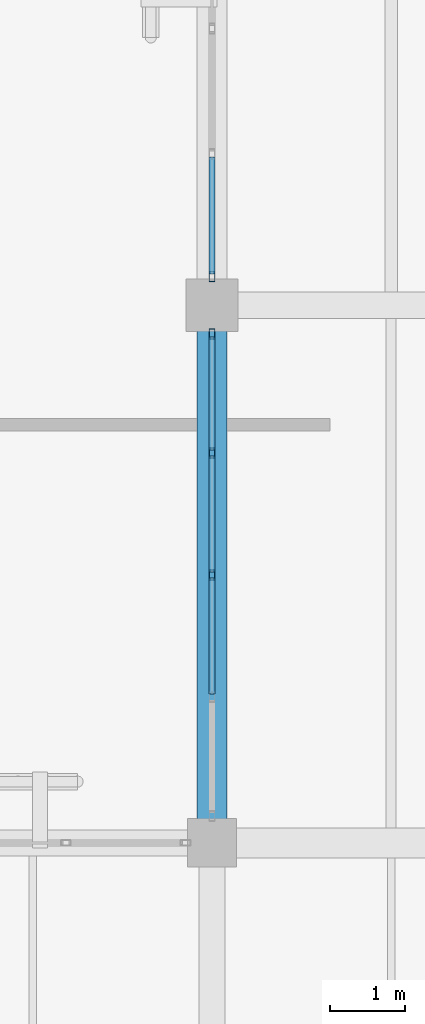
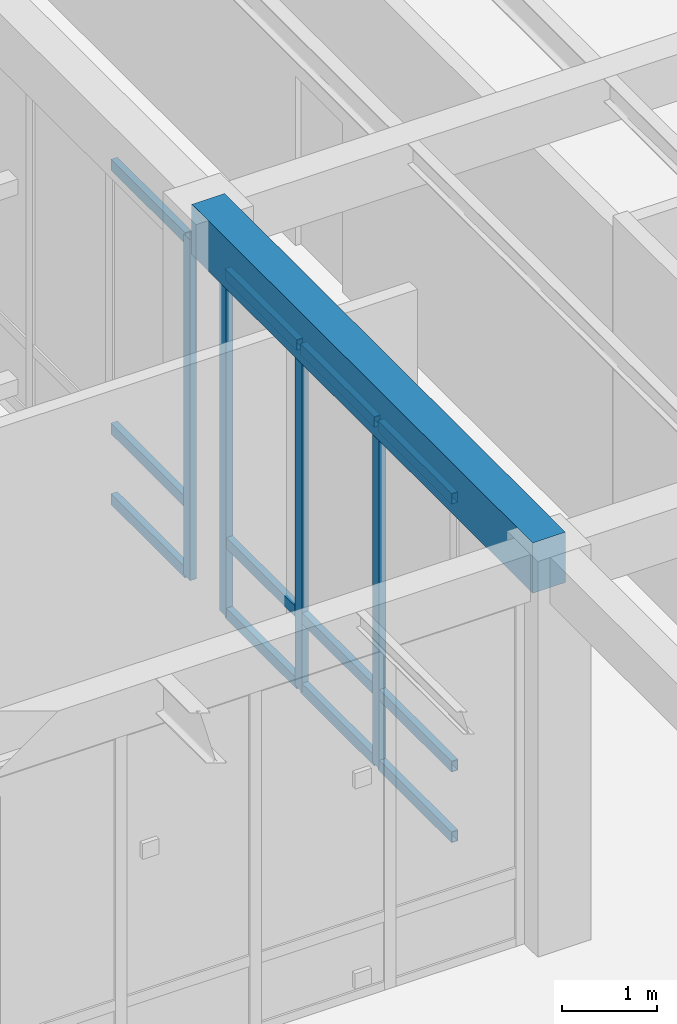
# One storey, part 28 of 169: 16 members, 1 beam, 2 elements without a shape of their own.
"""IFC4 building model written with IfcOpenShell, lengths in metres."""

from ifc_helpers import new_model, si_unit, direction, frame, origin, origin_2d, place, context, subcontext, project, spatial, rectangle, hollow_rectangle, extrude, material, layer, layer_set, material_profile, profile_set, type_object, element, aggregate, save


model = new_model("IFC4")

# Units and contexts
model_context = context("Model", 3, precision=1e-05, world=origin(), true_north=direction((0.0, 1.0)))
body_context = subcontext(model_context, "Body", "Model", "MODEL_VIEW")
ifc_project = project(units=[si_unit("LENGTHUNIT", "METRE"), si_unit("AREAUNIT", "SQUARE_METRE"), si_unit("VOLUMEUNIT", "CUBIC_METRE"), si_unit("PLANEANGLEUNIT", "RADIAN"), si_unit("MASSUNIT", "GRAM", prefix="KILO")], contexts=[model_context])

# Site, building, storey
site_placement = place(None, origin())
site = spatial("IfcSite", under=ifc_project, at=site_placement, CompositionType="ELEMENT")
building_placement = place(site_placement, origin())
building = spatial("IfcBuilding", under=site, at=building_placement, Name="Mazaris Harbour Polytechnic", CompositionType="ELEMENT")
storey_placement = place(building_placement, origin())
storey = spatial("IfcBuildingStorey", under=building, at=storey_placement, Name="L00", CompositionType="ELEMENT", Elevation=0.0)

# Curtain wall, members
ifc_material_1 = material(Name="Anodised Bronze Aluminium and Low-E Glass", Category="aluminium")
ifc_layer = layer(ifc_material_1, 0.159912109375, Name="Anodised Bronze Aluminium and Low-E Glass")
ifc_layer_set = layer_set([ifc_layer], Name="Anodised Bronze Aluminium and Low-E Glass")
curtain_wall_type = type_object("IfcCurtainWallType", Name="Cloister Court Curtain Wall", PredefinedType="NOTDEFINED", material=ifc_layer_set)
curtain_wall_1_placement = place(storey_placement, origin())
curtain_wall_1 = element("IfcCurtainWall", 1, at=curtain_wall_1_placement, inside=storey, type_object=curtain_wall_type, Name="V4 L00 Curtain Wall 107", PredefinedType="NOTDEFINED")
ifc_material_2 = material(Name="Anodised Bronze Steel S355", Category="steel")
ifc_material_profile_1 = material_profile(ifc_material_2, hollow_rectangle(XDim=0.080078125, YDim=0.139892578125, WallThickness=0.00634765625, at=origin_2d()), Name="RHS 80x140x6.3")
ifc_profile_set_1 = profile_set([ifc_material_profile_1], Name="Anodised Bronze Steel S355")
member_type_1 = type_object("IfcMemberType", Name="Curtain Mullion RHS80x140", PredefinedType="MULLION", material=ifc_profile_set_1)
member_1_placement = place(storey_placement, frame((28.800048828125, 42.818115234375, 0.0), z_axis=(0.0, 0.0, 1.0), x_axis=(1.0, 0.0, 0.0)))
member_1 = element("IfcMember", 2, at=member_1_placement, type_object=member_type_1, Name="CW-02 mullion 1", PredefinedType="MULLION", context=body_context, shape_type="SweptSolid", body=[
    extrude(hollow_rectangle(XDim=0.080078125, YDim=0.139892578125, WallThickness=0.00634765625, at=origin_2d()), origin(), (0.0, 0.0, 1.0), 4.43994140625),
])
member_2_placement = place(storey_placement, frame((28.800048828125, 41.22265625, 0.0), z_axis=(0.0, 0.0, 1.0), x_axis=(1.0, 0.0, 0.0)))
member_2 = element("IfcMember", 3, at=member_2_placement, type_object=member_type_1, Name="CW-02 mullion 2", PredefinedType="MULLION", context=body_context, shape_type="SweptSolid", body=[
    extrude(hollow_rectangle(XDim=0.080078125, YDim=0.139892578125, WallThickness=0.00634765625, at=origin_2d()), origin(), (0.0, 0.0, 1.0), 4.43994140625),
])
member_3_placement = place(storey_placement, frame((28.800048828125, 39.58740234375, 0.0), z_axis=(0.0, 0.0, 1.0), x_axis=(1.0, 0.0, 0.0)))
member_3 = element("IfcMember", 4, at=member_3_placement, type_object=member_type_1, Name="CW-02 mullion 3", PredefinedType="MULLION", context=body_context, shape_type="SweptSolid", body=[
    extrude(hollow_rectangle(XDim=0.080078125, YDim=0.139892578125, WallThickness=0.00634765625, at=origin_2d()), origin(), (0.0, 0.0, 1.0), 4.43994140625),
])

# Curtain wall, member
curtain_wall_2_placement = place(storey_placement, origin())
curtain_wall_2 = element("IfcCurtainWall", 5, at=curtain_wall_2_placement, inside=storey, type_object=curtain_wall_type, Name="V4 L00 Curtain Wall 108", PredefinedType="NOTDEFINED")
member_4_placement = place(storey_placement, frame((28.800048828125, 43.58203125, 0.0), z_axis=(0.0, 0.0, 1.0), x_axis=(1.0, 0.0, 0.0)))
member_4 = element("IfcMember", 6, at=member_4_placement, type_object=member_type_1, Name="CW-02 mullion 7", PredefinedType="MULLION", context=body_context, shape_type="SweptSolid", body=[
    extrude(hollow_rectangle(XDim=0.080078125, YDim=0.139892578125, WallThickness=0.00634765625, at=origin_2d()), origin(), (0.0, 0.0, 1.0), 4.389892578125),
])

# Member
ifc_material_3 = material(Name="Anodised Bronze Steel S355", Category="steel")
ifc_material_profile_2 = material_profile(ifc_material_3, hollow_rectangle(XDim=0.080078125, YDim=0.139892578125, WallThickness=0.00634765625, at=origin_2d()), Name="RHS 80x140x6.3")
ifc_profile_set_2 = profile_set([ifc_material_profile_2], Name="Anodised Bronze Steel S355")
member_type_2 = type_object("IfcMemberType", Name="Curtain Transom RHS80x140", PredefinedType="USERDEFINED", material=ifc_profile_set_2)
member_5_placement = place(storey_placement, frame((28.800048828125, 42.778076171875, 0.0400390625), z_axis=(0.0, -1.0, 0.0), x_axis=(1.0, 0.0, 0.0)))
member_5 = element("IfcMember", 7, at=member_5_placement, type_object=member_type_2, Name="CW-02 transom 1.1", ObjectType="TRANSOM", PredefinedType="USERDEFINED", context=body_context, shape_type="SweptSolid", body=[
    extrude(hollow_rectangle(XDim=0.080078125, YDim=0.139892578125, WallThickness=0.00634765625, at=origin_2d()), origin(), (0.0, 0.0, 1.0), 1.515380859375),
])

member_6_placement = place(storey_placement, frame((28.800048828125, 42.778076171875, 0.949951171875), z_axis=(0.0, -1.0, 0.0), x_axis=(1.0, 0.0, 0.0)))
member_6 = element("IfcMember", 8, at=member_6_placement, type_object=member_type_2, Name="CW-02 transom 1.2", ObjectType="TRANSOM", PredefinedType="USERDEFINED", context=body_context, shape_type="SweptSolid", body=[
    extrude(hollow_rectangle(XDim=0.080078125, YDim=0.139892578125, WallThickness=0.00634765625, at=origin_2d()), origin(), (0.0, 0.0, 1.0), 1.515380859375),
])

member_7_placement = place(storey_placement, frame((28.800048828125, 42.778076171875, 4.39990234375), z_axis=(0.0, -1.0, 0.0), x_axis=(1.0, 0.0, 0.0)))
member_7 = element("IfcMember", 9, at=member_7_placement, type_object=member_type_2, Name="CW-02 transom 1.3", ObjectType="TRANSOM", PredefinedType="USERDEFINED", context=body_context, shape_type="SweptSolid", body=[
    extrude(hollow_rectangle(XDim=0.080078125, YDim=0.139892578125, WallThickness=0.00634765625, at=origin_2d()), origin(), (0.0, 0.0, 1.0), 1.515380859375),
])

member_8_placement = place(storey_placement, frame((28.800048828125, 41.182861328125, 0.0400390625), z_axis=(0.0, -1.0, 0.0), x_axis=(1.0, 0.0, 0.0)))
member_8 = element("IfcMember", 10, at=member_8_placement, type_object=member_type_2, Name="CW-02 transom 2.1", ObjectType="TRANSOM", PredefinedType="USERDEFINED", context=body_context, shape_type="SweptSolid", body=[
    extrude(hollow_rectangle(XDim=0.080078125, YDim=0.139892578125, WallThickness=0.00634765625, at=origin_2d()), origin(), (0.0, 0.0, 1.0), 1.555419921875),
])

member_9_placement = place(storey_placement, frame((28.800048828125, 41.182861328125, 0.949951171875), z_axis=(0.0, -1.0, 0.0), x_axis=(1.0, 0.0, 0.0)))
member_9 = element("IfcMember", 11, at=member_9_placement, type_object=member_type_2, Name="CW-02 transom 2.2", ObjectType="TRANSOM", PredefinedType="USERDEFINED", context=body_context, shape_type="SweptSolid", body=[
    extrude(hollow_rectangle(XDim=0.080078125, YDim=0.139892578125, WallThickness=0.00634765625, at=origin_2d()), origin(), (0.0, 0.0, 1.0), 1.555419921875),
])

member_10_placement = place(storey_placement, frame((28.800048828125, 41.182861328125, 4.39990234375), z_axis=(0.0, -1.0, 0.0), x_axis=(1.0, 0.0, 0.0)))
member_10 = element("IfcMember", 12, at=member_10_placement, type_object=member_type_2, Name="CW-02 transom 2.3", ObjectType="TRANSOM", PredefinedType="USERDEFINED", context=body_context, shape_type="SweptSolid", body=[
    extrude(hollow_rectangle(XDim=0.080078125, YDim=0.139892578125, WallThickness=0.00634765625, at=origin_2d()), origin(), (0.0, 0.0, 1.0), 1.555419921875),
])

member_11_placement = place(storey_placement, frame((28.800048828125, 39.547607421875, 0.0400390625), z_axis=(0.0, -1.0, 0.0), x_axis=(1.0, 0.0, 0.0)))
member_11 = element("IfcMember", 13, at=member_11_placement, type_object=member_type_2, Name="CW-02 transom 3.1", ObjectType="TRANSOM", PredefinedType="USERDEFINED", context=body_context, shape_type="SweptSolid", body=[
    extrude(hollow_rectangle(XDim=0.080078125, YDim=0.139892578125, WallThickness=0.00634765625, at=origin_2d()), origin(), (0.0, 0.0, 1.0), 1.555419921875),
])

member_12_placement = place(storey_placement, frame((28.800048828125, 39.547607421875, 0.949951171875), z_axis=(0.0, -1.0, 0.0), x_axis=(1.0, 0.0, 0.0)))
member_12 = element("IfcMember", 14, at=member_12_placement, type_object=member_type_2, Name="CW-02 transom 3.2", ObjectType="TRANSOM", PredefinedType="USERDEFINED", context=body_context, shape_type="SweptSolid", body=[
    extrude(hollow_rectangle(XDim=0.080078125, YDim=0.139892578125, WallThickness=0.00634765625, at=origin_2d()), origin(), (0.0, 0.0, 1.0), 1.555419921875),
])

member_13_placement = place(storey_placement, frame((28.800048828125, 39.547607421875, 4.39990234375), z_axis=(0.0, -1.0, 0.0), x_axis=(1.0, 0.0, 0.0)))
member_13 = element("IfcMember", 15, at=member_13_placement, type_object=member_type_2, Name="CW-02 transom 3.3", ObjectType="TRANSOM", PredefinedType="USERDEFINED", context=body_context, shape_type="SweptSolid", body=[
    extrude(hollow_rectangle(XDim=0.080078125, YDim=0.139892578125, WallThickness=0.00634765625, at=origin_2d()), origin(), (0.0, 0.0, 1.0), 1.555419921875),
])

aggregate(curtain_wall_1, [member_1, member_2, member_3, member_5, member_6, member_7, member_8, member_9, member_10, member_11, member_12, member_13])

member_14_placement = place(storey_placement, frame((28.800048828125, 45.183837890625, 0.0400390625), z_axis=(0.0, -1.0, 0.0), x_axis=(1.0, 0.0, 0.0)))
member_14 = element("IfcMember", 16, at=member_14_placement, type_object=member_type_2, Name="CW-02 transom 6.1", ObjectType="TRANSOM", PredefinedType="USERDEFINED", context=body_context, shape_type="SweptSolid", body=[
    extrude(hollow_rectangle(XDim=0.080078125, YDim=0.139892578125, WallThickness=0.00634765625, at=origin_2d()), origin(), (0.0, 0.0, 1.0), 1.561767578125),
])

member_15_placement = place(storey_placement, frame((28.800048828125, 45.183837890625, 0.949951171875), z_axis=(0.0, -1.0, 0.0), x_axis=(1.0, 0.0, 0.0)))
member_15 = element("IfcMember", 17, at=member_15_placement, type_object=member_type_2, Name="CW-02 transom 6.2", ObjectType="TRANSOM", PredefinedType="USERDEFINED", context=body_context, shape_type="SweptSolid", body=[
    extrude(hollow_rectangle(XDim=0.080078125, YDim=0.139892578125, WallThickness=0.00634765625, at=origin_2d()), origin(), (0.0, 0.0, 1.0), 1.561767578125),
])

member_16_placement = place(storey_placement, frame((28.800048828125, 45.183837890625, 4.35009765625), z_axis=(0.0, -1.0, 0.0), x_axis=(1.0, 0.0, 0.0)))
member_16 = element("IfcMember", 18, at=member_16_placement, type_object=member_type_2, Name="CW-02 transom 6.3", ObjectType="TRANSOM", PredefinedType="USERDEFINED", context=body_context, shape_type="SweptSolid", body=[
    extrude(hollow_rectangle(XDim=0.080078125, YDim=0.139892578125, WallThickness=0.00634765625, at=origin_2d()), origin(), (0.0, 0.0, 1.0), 1.561767578125),
])

aggregate(curtain_wall_2, [member_4, member_14, member_15, member_16])

# Beam
ifc_material_4 = material(Name="Concrete C35/45", Category="concrete")
ifc_material_profile_3 = material_profile(ifc_material_4, rectangle(XDim=0.39990234375, YDim=0.64990234375, at=origin_2d()), Name="RECT400x650")
ifc_profile_set_3 = profile_set([ifc_material_profile_3], Name="Concrete C35/45")
beam_type = type_object("IfcBeamType", Name="RC Girder 400x650", PredefinedType="BEAM", material=ifc_profile_set_3)
beam_placement = place(storey_placement, frame((28.800048828125, 36.0, 4.77490234375), z_axis=(0.0, 1.0, 0.0), x_axis=(-1.0, 0.0, 0.0)))
element("IfcBeam", 19, at=beam_placement, inside=storey, type_object=beam_type, Name="V4 L00 Tie Girder 1471", PredefinedType="BEAM", context=body_context, shape_type="SweptSolid", body=[
    extrude(rectangle(XDim=0.39990234375, YDim=0.64990234375, at=origin_2d()), origin(), (0.0, 0.0, 1.0), 7.199951171875),
])

save(model, "model.ifc")
